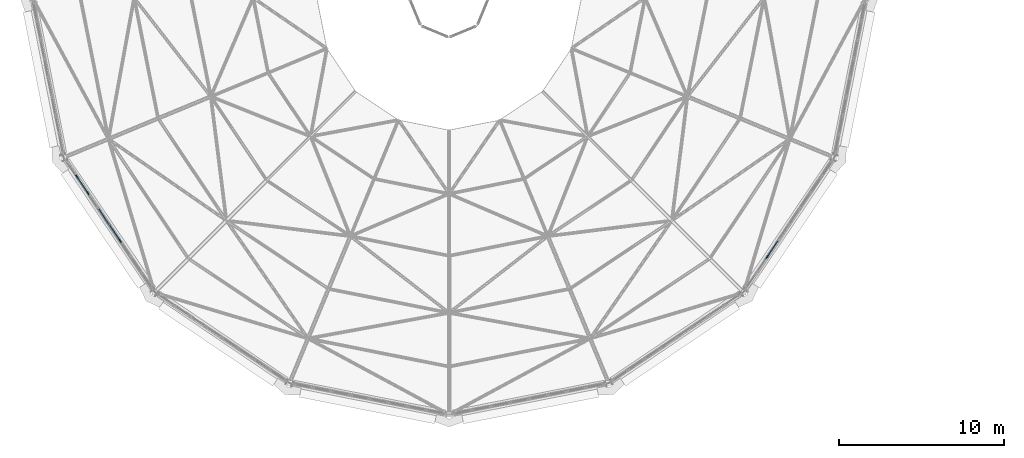
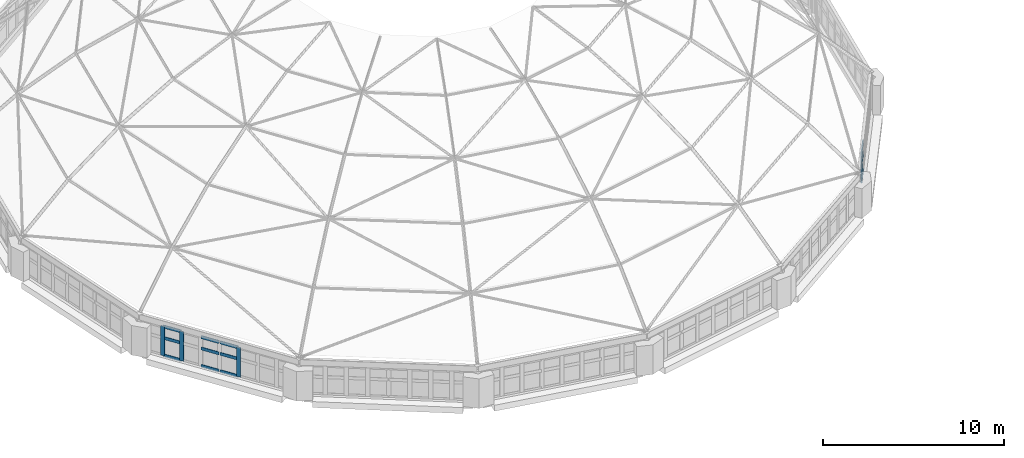
# One storey, part 15 of 68: 16 members, 2 elements without a shape of their own.
"""IFC4 building model written with IfcOpenShell, lengths in metres."""

from ifc_helpers import new_model, si_unit, direction, frame, origin, origin_2d, place, context, subcontext, project, spatial, rectangle, extrude, material, material_profile, profile_set, type_object, element, aggregate, save


model = new_model("IFC4")

# Units and contexts
model_context = context("Model", 3, precision=1e-05, world=origin(), true_north=direction((0.0, 1.0)))
body_context = subcontext(model_context, "Body", "Model", "MODEL_VIEW")
ifc_project = project(units=[si_unit("LENGTHUNIT", "METRE"), si_unit("AREAUNIT", "SQUARE_METRE"), si_unit("VOLUMEUNIT", "CUBIC_METRE"), si_unit("PLANEANGLEUNIT", "RADIAN"), si_unit("MASSUNIT", "GRAM", prefix="KILO")], contexts=[model_context])

# Site, building, storey
site_placement = place(None, origin())
site = spatial("IfcSite", under=ifc_project, at=site_placement, CompositionType="ELEMENT")
building_placement = place(site_placement, origin())
building = spatial("IfcBuilding", under=site, at=building_placement, Name="Kupolbacken Congress Centre", CompositionType="ELEMENT")
storey_placement = place(building_placement, frame((0.0, 0.0, 25.199951171875)))
storey = spatial("IfcBuildingStorey", under=building, at=storey_placement, Name="L07", CompositionType="ELEMENT", Elevation=25.199951171875)

# Curtain wall, members
ifc_material_1 = material(Name="Aluminium mullion-transom frame with glass", Category="aluminium")
curtain_wall_type = type_object("IfcCurtainWallType", Name="CW3 curtain wall 9830x3600", PredefinedType="NOTDEFINED", material=ifc_material_1)
curtain_wall_1_placement = place(storey_placement, origin())
curtain_wall_1 = element("IfcCurtainWall", 1, at=curtain_wall_1_placement, inside=storey, type_object=curtain_wall_type, Name="E/P/drum/cw/L07/01", PredefinedType="NOTDEFINED")
ifc_material_2 = material(Name="Aluminium alloy", Category="aluminium")
ifc_material_profile_1 = material_profile(ifc_material_2, rectangle(XDim=0.06005859375, YDim=0.25, at=origin_2d()), Name="60 x 250")
ifc_profile_set_1 = profile_set([ifc_material_profile_1], Name="Aluminium alloy")
member_type_1 = type_object("IfcMemberType", Name="MU3 mullion 60x250", PredefinedType="MULLION", material=ifc_profile_set_1)
member_1_placement = place(storey_placement, frame((20.6923828125, 75.575927734375, 0.400146484375), z_axis=(0.0, 0.0, 1.0), x_axis=(0.82890762338, 0.559385512775, 0.0)))
member_1 = element("IfcMember", 2, at=member_1_placement, type_object=member_type_1, Name="CW3 mullion 2", PredefinedType="MULLION", context=body_context, shape_type="SweptSolid", body=[
    extrude(rectangle(XDim=0.06005859375, YDim=0.25, at=origin_2d()), origin(), (0.0, 0.0, 1.0), 1.989990234375),
])
member_2_placement = place(storey_placement, frame((21.344970703125, 74.60888671875, 0.400146484375), z_axis=(0.0, 0.0, 1.0), x_axis=(0.82890762338, 0.559385512775, 0.0)))
member_2 = element("IfcMember", 3, at=member_2_placement, type_object=member_type_1, Name="CW3 mullion 3", PredefinedType="MULLION", context=body_context, shape_type="SweptSolid", body=[
    extrude(rectangle(XDim=0.06005859375, YDim=0.25, at=origin_2d()), origin(), (0.0, 0.0, 1.0), 1.989990234375),
])
member_3_placement = place(storey_placement, frame((23.302490234375, 71.7080078125, 0.400146484375), z_axis=(0.0, 0.0, 1.0), x_axis=(0.82890762338, 0.559385512775, 0.0)))
member_3 = element("IfcMember", 4, at=member_3_placement, type_object=member_type_1, Name="CW3 mullion 6", PredefinedType="MULLION", context=body_context, shape_type="SweptSolid", body=[
    extrude(rectangle(XDim=0.06005859375, YDim=0.25, at=origin_2d()), origin(), (0.0, 0.0, 1.0), 1.989990234375),
])

# Curtain wall, member
curtain_wall_2_placement = place(storey_placement, origin())
curtain_wall_2 = element("IfcCurtainWall", 5, at=curtain_wall_2_placement, inside=storey, type_object=curtain_wall_type, Name="E/P/drum/cw/L07/06", PredefinedType="NOTDEFINED")
member_4_placement = place(storey_placement, frame((62.44482421875, 70.7412109375, 0.400146484375), z_axis=(0.0, 0.0, 1.0), x_axis=(-0.82890762338, 0.559385512775, 0.0)))
member_4 = element("IfcMember", 6, at=member_4_placement, type_object=member_type_1, Name="CW3 mullion 3", PredefinedType="MULLION", context=body_context, shape_type="SweptSolid", body=[
    extrude(rectangle(XDim=0.06005859375, YDim=0.25, at=origin_2d()), origin(), (0.0, 0.0, 1.0), 1.989990234375),
])

# Member
ifc_material_3 = material(Name="Aluminium alloy", Category="aluminium")
ifc_material_profile_2 = material_profile(ifc_material_3, rectangle(XDim=0.06005859375, YDim=0.199951171875, at=origin_2d()), Name="60 x 200")
ifc_profile_set_2 = profile_set([ifc_material_profile_2], Name="Aluminium alloy")
member_type_2 = type_object("IfcMemberType", Name="TR3 transom 60x200", PredefinedType="MULLION", material=ifc_profile_set_2)
member_5_placement = place(storey_placement, frame((20.709228515625, 75.551025390625, 0.429931640625), z_axis=(0.559325057342, -0.828948418317, 0.0), x_axis=(0.828948418317, 0.559325057342, 0.0)))
member_5 = element("IfcMember", 7, at=member_5_placement, type_object=member_type_2, Name="CW3 transom 2.1", PredefinedType="MULLION", context=body_context, shape_type="SweptSolid", body=[
    extrude(rectangle(XDim=0.06005859375, YDim=0.199951171875, at=origin_2d()), origin(), (0.0, 0.0, 1.0), 1.1064453125),
])

member_6_placement = place(storey_placement, frame((20.709228515625, 75.551025390625, 1.60009765625), z_axis=(0.559325057342, -0.828948418317, 0.0), x_axis=(0.828948418317, 0.559325057342, 0.0)))
member_6 = element("IfcMember", 8, at=member_6_placement, type_object=member_type_2, Name="CW3 transom 2.2", PredefinedType="MULLION", context=body_context, shape_type="SweptSolid", body=[
    extrude(rectangle(XDim=0.06005859375, YDim=0.199951171875, at=origin_2d()), origin(), (0.0, 0.0, 1.0), 1.1064453125),
])

member_7_placement = place(storey_placement, frame((20.709228515625, 75.551025390625, 2.360107421875), z_axis=(0.559325057342, -0.828948418317, 0.0), x_axis=(0.828948418317, 0.559325057342, 0.0)))
member_7 = element("IfcMember", 9, at=member_7_placement, type_object=member_type_2, Name="CW3 transom 2.3", PredefinedType="MULLION", context=body_context, shape_type="SweptSolid", body=[
    extrude(rectangle(XDim=0.06005859375, YDim=0.199951171875, at=origin_2d()), origin(), (0.0, 0.0, 1.0), 1.1064453125),
])

member_8_placement = place(storey_placement, frame((22.01416015625, 73.6171875, 0.429931640625), z_axis=(0.559476643983, -0.8288461165, 0.0), x_axis=(0.8288461165, 0.559476643983, 0.0)))
member_8 = element("IfcMember", 10, at=member_8_placement, type_object=member_type_2, Name="CW3 transom 4.1", PredefinedType="MULLION", context=body_context, shape_type="SweptSolid", body=[
    extrude(rectangle(XDim=0.06005859375, YDim=0.199951171875, at=origin_2d()), origin(), (0.0, 0.0, 1.0), 1.106689453125),
])

member_9_placement = place(storey_placement, frame((22.01416015625, 73.6171875, 1.60009765625), z_axis=(0.559476643983, -0.8288461165, 0.0), x_axis=(0.8288461165, 0.559476643983, 0.0)))
member_9 = element("IfcMember", 11, at=member_9_placement, type_object=member_type_2, Name="CW3 transom 4.2", PredefinedType="MULLION", context=body_context, shape_type="SweptSolid", body=[
    extrude(rectangle(XDim=0.06005859375, YDim=0.199951171875, at=origin_2d()), origin(), (0.0, 0.0, 1.0), 1.106689453125),
])

member_10_placement = place(storey_placement, frame((22.01416015625, 73.6171875, 2.360107421875), z_axis=(0.559476643983, -0.8288461165, 0.0), x_axis=(0.8288461165, 0.559476643983, 0.0)))
member_10 = element("IfcMember", 12, at=member_10_placement, type_object=member_type_2, Name="CW3 transom 4.3", PredefinedType="MULLION", context=body_context, shape_type="SweptSolid", body=[
    extrude(rectangle(XDim=0.06005859375, YDim=0.199951171875, at=origin_2d()), origin(), (0.0, 0.0, 1.0), 1.106689453125),
])

member_11_placement = place(storey_placement, frame((22.666748046875, 72.650146484375, 0.429931640625), z_axis=(0.559325057342, -0.828948418317, 0.0), x_axis=(0.828948418317, 0.559325057342, 0.0)))
member_11 = element("IfcMember", 13, at=member_11_placement, type_object=member_type_2, Name="CW3 transom 5.1", PredefinedType="MULLION", context=body_context, shape_type="SweptSolid", body=[
    extrude(rectangle(XDim=0.06005859375, YDim=0.199951171875, at=origin_2d()), origin(), (0.0, 0.0, 1.0), 1.1064453125),
])

member_12_placement = place(storey_placement, frame((22.666748046875, 72.650146484375, 1.60009765625), z_axis=(0.559325057342, -0.828948418317, 0.0), x_axis=(0.828948418317, 0.559325057342, 0.0)))
member_12 = element("IfcMember", 14, at=member_12_placement, type_object=member_type_2, Name="CW3 transom 5.2", PredefinedType="MULLION", context=body_context, shape_type="SweptSolid", body=[
    extrude(rectangle(XDim=0.06005859375, YDim=0.199951171875, at=origin_2d()), origin(), (0.0, 0.0, 1.0), 1.1064453125),
])

member_13_placement = place(storey_placement, frame((22.666748046875, 72.650146484375, 2.360107421875), z_axis=(0.559325057342, -0.828948418317, 0.0), x_axis=(0.828948418317, 0.559325057342, 0.0)))
member_13 = element("IfcMember", 15, at=member_13_placement, type_object=member_type_2, Name="CW3 transom 5.3", PredefinedType="MULLION", context=body_context, shape_type="SweptSolid", body=[
    extrude(rectangle(XDim=0.06005859375, YDim=0.199951171875, at=origin_2d()), origin(), (0.0, 0.0, 1.0), 1.1064453125),
])

aggregate(curtain_wall_1, [member_1, member_2, member_3, member_5, member_6, member_7, member_8, member_9, member_10, member_11, member_12, member_13])

member_14_placement = place(storey_placement, frame((62.461669921875, 70.765869140625, 0.429931640625), z_axis=(0.559325057342, 0.828948418317, 0.0), x_axis=(-0.828948418317, 0.559325057342, 0.0)))
member_14 = element("IfcMember", 16, at=member_14_placement, type_object=member_type_2, Name="CW3 transom 3.1", PredefinedType="MULLION", context=body_context, shape_type="SweptSolid", body=[
    extrude(rectangle(XDim=0.06005859375, YDim=0.199951171875, at=origin_2d()), origin(), (0.0, 0.0, 1.0), 1.1064453125),
])

member_15_placement = place(storey_placement, frame((62.461669921875, 70.765869140625, 1.60009765625), z_axis=(0.559325057342, 0.828948418317, 0.0), x_axis=(-0.828948418317, 0.559325057342, 0.0)))
member_15 = element("IfcMember", 17, at=member_15_placement, type_object=member_type_2, Name="CW3 transom 3.2", PredefinedType="MULLION", context=body_context, shape_type="SweptSolid", body=[
    extrude(rectangle(XDim=0.06005859375, YDim=0.199951171875, at=origin_2d()), origin(), (0.0, 0.0, 1.0), 1.1064453125),
])

member_16_placement = place(storey_placement, frame((62.461669921875, 70.765869140625, 2.360107421875), z_axis=(0.559325057342, 0.828948418317, 0.0), x_axis=(-0.828948418317, 0.559325057342, 0.0)))
member_16 = element("IfcMember", 18, at=member_16_placement, type_object=member_type_2, Name="CW3 transom 3.3", PredefinedType="MULLION", context=body_context, shape_type="SweptSolid", body=[
    extrude(rectangle(XDim=0.06005859375, YDim=0.199951171875, at=origin_2d()), origin(), (0.0, 0.0, 1.0), 1.1064453125),
])

aggregate(curtain_wall_2, [member_4, member_14, member_15, member_16])

save(model, "model.ifc")
